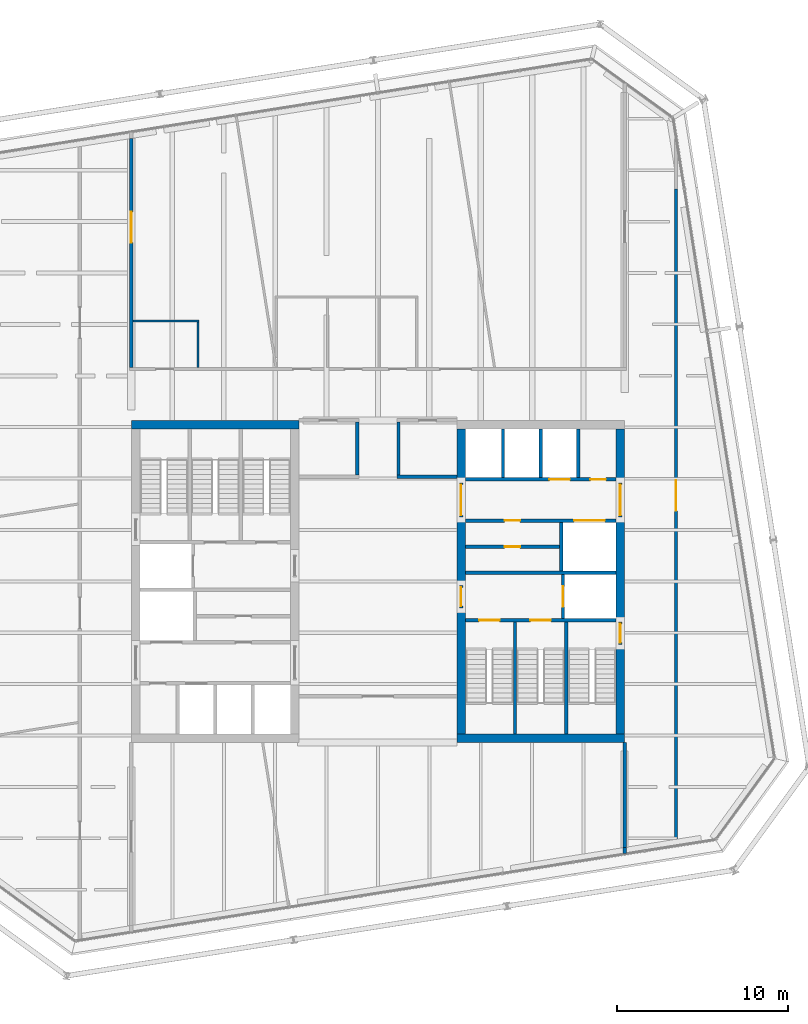
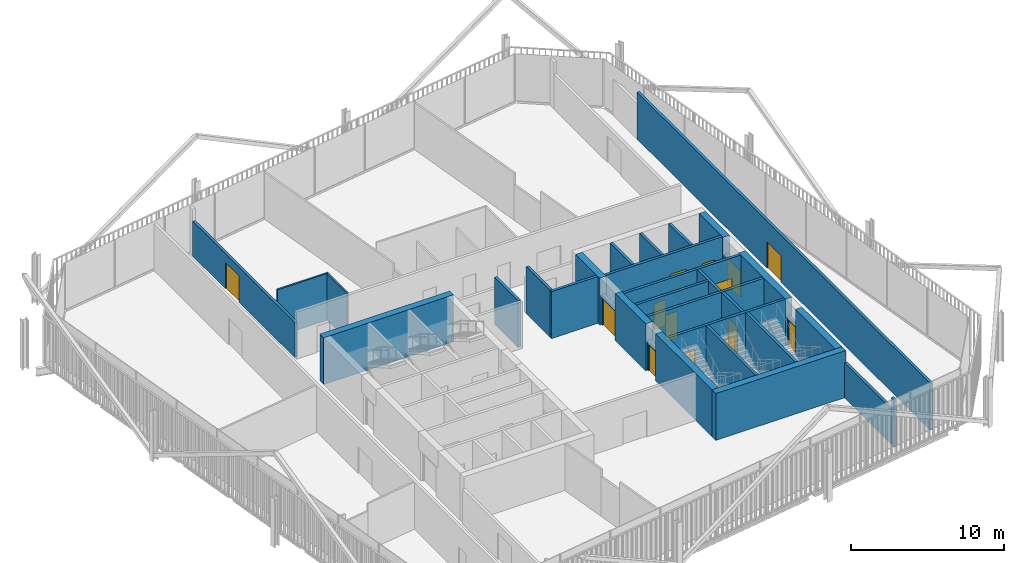
# One storey, part 17 of 20: 33 walls, 14 doors, 14 openings.
"""IFC4 building model written with IfcOpenShell, lengths in metres."""

from ifc_helpers import new_model, si_unit, direction, frame, frame_2d, origin, place, context, subcontext, project, spatial, rectangle, extrude, material, layer, layer_set, type_object, element, fill, save


model = new_model("IFC4")

# Units and contexts
model_context = context("Model", 3, precision=1e-05, world=origin(), true_north=direction((0.0, 1.0)))
body_context = subcontext(model_context, "Body", "Model", "MODEL_VIEW")
ifc_project = project(units=[si_unit("LENGTHUNIT", "METRE"), si_unit("AREAUNIT", "SQUARE_METRE"), si_unit("VOLUMEUNIT", "CUBIC_METRE"), si_unit("PLANEANGLEUNIT", "RADIAN"), si_unit("MASSUNIT", "GRAM", prefix="KILO")], contexts=[model_context])

# Site, building, storey
site_placement = place(None, origin())
site = spatial("IfcSite", under=ifc_project, at=site_placement, CompositionType="ELEMENT")
building_placement = place(site_placement, origin())
building = spatial("IfcBuilding", under=site, at=building_placement, Name="Millrace Tower", CompositionType="ELEMENT")
storey_placement = place(building_placement, frame((0.0, 0.0, 204.699951171875)))
storey = spatial("IfcBuildingStorey", under=building, at=storey_placement, Name="L46", CompositionType="ELEMENT", Elevation=204.699951171875)

# Walls
ifc_material_1 = material(Name="Concrete C60", Category="concrete")
ifc_layer_1 = layer(ifc_material_1, 0.5)
ifc_layer_set_1 = layer_set([ifc_layer_1], Name="Concrete C60")
wall_type_1 = type_object("IfcWallType", Name="Core wall 500 Concrete C60", PredefinedType="SHEAR", material=ifc_layer_set_1)
for number, where, z_axis, x_axis, name in (
    (1, (-14.39990234375, 9.14990234375, 0.0), (0.0, 0.0, 1.0), (1.0, 0.0, 0.0), "Core wall W L46"),
    (2, (14.39990234375, -9.14990234375, 0.0), (0.0, 0.0, 1.0), (-1.0, 0.0, 0.0), "Core wall E L46"),
):
    element("IfcWall", number, at=place(storey_placement, frame(where, z_axis=z_axis, x_axis=x_axis)), inside=storey, type_object=wall_type_1, Name=name, PredefinedType="SHEAR", context=body_context, shape_type="SweptSolid", body=[
        extrude(rectangle(XDim=9.7998046875, YDim=0.5, at=frame_2d((4.89990234375, 0.0))), origin(), (0.0, 0.0, 1.0), 3.739990234375),
    ])
wall_1_placement = place(storey_placement, frame((14.14990234375, 8.89990234375, 0.0), z_axis=(0.0, 0.0, 1.0), x_axis=(0.0, -1.0, 0.0)))
element("IfcWall", 3, at=wall_1_placement, inside=storey, type_object=wall_type_1, Name="Core wall E L46", PredefinedType="SHEAR", context=body_context, shape_type="SweptSolid", body=[
    extrude(rectangle(XDim=3.14990234375, YDim=0.5, at=frame_2d((1.574951171875, 0.0))), origin(), (0.0, 0.0, 1.0), 3.739990234375),
])
wall_2_placement = place(storey_placement, frame((14.14990234375, 3.75, 0.0), z_axis=(0.0, 0.0, 1.0), x_axis=(0.0, -1.0, 0.0)))
element("IfcWall", 4, at=wall_2_placement, inside=storey, type_object=wall_type_1, Name="Core wall E L46", PredefinedType="SHEAR", context=body_context, shape_type="SweptSolid", body=[
    extrude(rectangle(XDim=6.1298828125, YDim=0.5, at=frame_2d((3.06494140625, 0.0))), origin(), (0.0, 0.0, 1.0), 3.739990234375),
])
wall_3_placement = place(storey_placement, frame((14.14990234375, -3.679931640625, 0.0), z_axis=(0.0, 0.0, 1.0), x_axis=(0.0, -1.0, 0.0)))
element("IfcWall", 5, at=wall_3_placement, inside=storey, type_object=wall_type_1, Name="Core wall E L46", PredefinedType="SHEAR", context=body_context, shape_type="SweptSolid", body=[
    extrude(rectangle(XDim=5.219970703125, YDim=0.5, at=frame_2d((2.60986328125, 0.0))), origin(), (0.0, 0.0, 1.0), 3.739990234375),
])
wall_4_placement = place(storey_placement, frame((4.85009765625, 8.89990234375, 0.0), z_axis=(0.0, 0.0, 1.0), x_axis=(0.0, -1.0, 0.0)))
element("IfcWall", 6, at=wall_4_placement, inside=storey, type_object=wall_type_1, Name="Core wall E L46", PredefinedType="SHEAR", context=body_context, shape_type="SweptSolid", body=[
    extrude(rectangle(XDim=3.14990234375, YDim=0.5, at=frame_2d((1.574951171875, 0.0))), origin(), (0.0, 0.0, 1.0), 3.739990234375),
])
wall_5_placement = place(storey_placement, frame((4.85009765625, 3.75, 0.0), z_axis=(0.0, 0.0, 1.0), x_axis=(0.0, -1.0, 0.0)))
element("IfcWall", 7, at=wall_5_placement, inside=storey, type_object=wall_type_1, Name="Core wall E L46", PredefinedType="SHEAR", context=body_context, shape_type="SweptSolid", body=[
    extrude(rectangle(XDim=4.0, YDim=0.5, at=frame_2d((2.0, 0.0))), origin(), (0.0, 0.0, 1.0), 3.739990234375),
])
wall_6_placement = place(storey_placement, frame((4.85009765625, -1.550048828125, 0.0), z_axis=(0.0, 0.0, 1.0), x_axis=(0.0, -1.0, 0.0)))
element("IfcWall", 8, at=wall_6_placement, inside=storey, type_object=wall_type_1, Name="Core wall E L46", PredefinedType="SHEAR", context=body_context, shape_type="SweptSolid", body=[
    extrude(rectangle(XDim=7.349853515625, YDim=0.5, at=frame_2d((3.6748046875, 0.0))), origin(), (0.0, 0.0, 1.0), 3.739990234375),
])
ifc_material_2 = material(Name="Masonry partition, fire-rated", Category="masonry")
ifc_layer_2 = layer(ifc_material_2, 0.199951171875)
ifc_layer_set_2 = layer_set([ifc_layer_2], Name="Masonry partition, fire-rated")
wall_type_2 = type_object("IfcWallType", Name="Corridor wall 200", PredefinedType="PARTITIONING", material=ifc_layer_set_2)
wall_7_placement = place(storey_placement, frame((1.10009765625, 6.10009765625, 0.0), z_axis=(0.0, 0.0, 1.0), x_axis=(1.0, 0.0, 0.0)))
element("IfcWall", 9, at=wall_7_placement, inside=storey, type_object=wall_type_2, Name="Corridor wall L46", PredefinedType="PARTITIONING", context=body_context, shape_type="SweptSolid", body=[
    extrude(rectangle(XDim=3.5, YDim=0.199951171875, at=frame_2d((1.75, 0.0))), origin(), (0.0, 0.0, 1.0), 3.739990234375),
])

# Wall, opening, door
wall_8_placement = place(storey_placement, frame((17.39990234375, -15.3994140625, 0.0), z_axis=(0.0, 0.0, 1.0), x_axis=(0.0, 1.0, 0.0)))
wall_8 = element("IfcWall", 10, at=wall_8_placement, inside=storey, type_object=wall_type_2, Name="Corridor wall L46", PredefinedType="PARTITIONING", context=body_context, shape_type="SweptSolid", body=[
    extrude(rectangle(XDim=38.3046875, YDim=0.199951171875, at=frame_2d((19.15234375, 0.0))), origin(), (0.0, 0.0, 1.0), 3.739990234375),
])
opening_1_placement = place(wall_8_placement, frame((19.511962890625, 0.0, 0.0)))
opening_1 = element("IfcOpeningElement", 11, at=opening_1_placement, cuts=wall_8, Name="Opening 46-P013", PredefinedType="OPENING", context=body_context, shape_type="SweptSolid", body=[
    extrude(rectangle(XDim=1.800048828125, YDim=2.10009765625, at=frame_2d((0.89990234375, 1.050048828125))), frame((0.0, 0.10986328125, 0.0), z_axis=(0.0, -1.0, 0.0), x_axis=(1.0, 0.0, 0.0)), (0.0, 0.0, 1.0), 0.219970703125),
])
ifc_material_3 = material(Name="Steel door set, fire-rated", Category="steel")
door_type_1 = type_object("IfcDoorType", Name="Corridor door 1800 x 2100", OperationType="DOUBLE_DOOR_SINGLE_SWING", PredefinedType="DOOR", material=ifc_material_3)
door_1_placement = place(opening_1_placement, frame((1.800048828125, 0.0, 0.0), z_axis=(0.0, 0.0, 1.0), x_axis=(-1.0, 0.0, 0.0)))
door_1 = element("IfcDoor", 12, at=door_1_placement, inside=storey, type_object=door_type_1, Name="Door 46-P013", OperationType="DOUBLE_DOOR_SINGLE_SWING", OverallHeight=2.10009765625, OverallWidth=1.800048828125, PredefinedType="DOOR", context=body_context, shape_type="SweptSolid", body=[
    extrude(rectangle(XDim=1.800048828125, YDim=2.10009765625, at=frame_2d((0.89990234375, 1.050048828125))), frame((0.0, 0.02490234375, 0.0), z_axis=(0.0, -1.0, 0.0), x_axis=(1.0, 0.0, 0.0)), (0.0, 0.0, 1.0), 0.050048828125),
])
fill(opening_1, door_1)

# Walls
wall_9_placement = place(storey_placement, frame((14.39990234375, -15.87451171875, 0.0), z_axis=(0.0, 0.0, 1.0), x_axis=(0.0, 1.0, 0.0)))
element("IfcWall", 13, at=wall_9_placement, inside=storey, type_object=wall_type_2, Name="Corridor wall L46", PredefinedType="PARTITIONING", context=body_context, shape_type="SweptSolid", body=[
    extrude(rectangle(XDim=0.349609375, YDim=0.199951171875, at=frame_2d((0.1748046875, 0.0))), origin(), (0.0, 0.0, 1.0), 3.739990234375),
])
wall_10_placement = place(storey_placement, frame((14.39990234375, -15.52490234375, 0.0), z_axis=(0.0, 0.0, 1.0), x_axis=(0.0, 1.0, 0.0)))
element("IfcWall", 14, at=wall_10_placement, inside=storey, type_object=wall_type_2, Name="Corridor wall L46", PredefinedType="PARTITIONING", context=body_context, shape_type="SweptSolid", body=[
    extrude(rectangle(XDim=6.125, YDim=0.199951171875, at=frame_2d((3.0625, 0.0))), origin(), (0.0, 0.0, 1.0), 2.81298828125),
])
for number, where, z_axis, x_axis, name in (
    (15, (1.199951171875, 6.199951171875, 0.0), (0.0, 0.0, 1.0), (0.0, 1.0, 0.0), "Corridor wall L46"),
    (16, (-1.199951171875, 6.199951171875, 0.0), (0.0, 0.0, 1.0), (0.0, 1.0, 0.0), "Corridor wall L46"),
):
    element("IfcWall", number, at=place(storey_placement, frame(where, z_axis=z_axis, x_axis=x_axis)), inside=storey, type_object=wall_type_2, Name=name, PredefinedType="PARTITIONING", context=body_context, shape_type="SweptSolid", body=[
        extrude(rectangle(XDim=3.10009765625, YDim=0.199951171875, at=frame_2d((1.550048828125, 0.0))), origin(), (0.0, 0.0, 1.0), 3.739990234375),
    ])

# Wall, opening, door
wall_11_placement = place(storey_placement, frame((-14.39990234375, 12.5, 0.0), z_axis=(0.0, 0.0, 1.0), x_axis=(0.0, 1.0, 0.0)))
wall_11 = element("IfcWall", 17, at=wall_11_placement, inside=storey, type_object=wall_type_2, Name="Corridor wall L46", PredefinedType="PARTITIONING", context=body_context, shape_type="SweptSolid", body=[
    extrude(rectangle(XDim=13.3486328125, YDim=0.199951171875, at=frame_2d((6.67431640625, 0.0))), origin(), (0.0, 0.0, 1.0), 2.792724609375),
])
opening_2_placement = place(wall_11_placement, frame((7.27392578125, 0.0, 0.0)))
opening_2 = element("IfcOpeningElement", 18, at=opening_2_placement, cuts=wall_11, Name="Opening 46-P006", PredefinedType="OPENING", context=body_context, shape_type="SweptSolid", body=[
    extrude(rectangle(XDim=1.800048828125, YDim=2.10009765625, at=frame_2d((0.89990234375, 1.050048828125))), frame((0.0, 0.10986328125, 0.0), z_axis=(0.0, -1.0, 0.0), x_axis=(1.0, 0.0, 0.0)), (0.0, 0.0, 1.0), 0.219970703125),
])
door_2_placement = place(opening_2_placement, frame((1.800048828125, 0.0, 0.0), z_axis=(0.0, 0.0, 1.0), x_axis=(-1.0, 0.0, 0.0)))
door_2 = element("IfcDoor", 19, at=door_2_placement, inside=storey, type_object=door_type_1, Name="Door 46-P006", OperationType="DOUBLE_DOOR_SINGLE_SWING", OverallHeight=2.10009765625, OverallWidth=1.800048828125, PredefinedType="DOOR", context=body_context, shape_type="SweptSolid", body=[
    extrude(rectangle(XDim=1.800048828125, YDim=2.10009765625, at=frame_2d((0.89990234375, 1.050048828125))), frame((0.0, 0.02490234375, 0.0), z_axis=(0.0, -1.0, 0.0), x_axis=(1.0, 0.0, 0.0)), (0.0, 0.0, 1.0), 0.050048828125),
])
fill(opening_2, door_2)

# Wall, openings, doors
ifc_material_4 = material(Name="Masonry partition, fire-rated", Category="masonry")
ifc_layer_3 = layer(ifc_material_4, 0.199951171875)
ifc_layer_set_3 = layer_set([ifc_layer_3], Name="Masonry partition, fire-rated")
wall_type_3 = type_object("IfcWallType", Name="Lift shaft wall 200", PredefinedType="PARTITIONING", material=ifc_layer_set_3)
wall_12_placement = place(storey_placement, frame((13.89990234375, 5.949951171875, 0.0), z_axis=(0.0, 0.0, 1.0), x_axis=(-1.0, 0.0, 0.0)))
wall_12 = element("IfcWall", 20, at=wall_12_placement, inside=storey, type_object=wall_type_3, Name="Lift shaft wall E L46", PredefinedType="PARTITIONING", context=body_context, shape_type="SweptSolid", body=[
    extrude(rectangle(XDim=8.7998046875, YDim=0.199951171875, at=frame_2d((4.39990234375, 0.0))), origin(), (0.0, 0.0, 1.0), 3.739990234375),
])
opening_3_placement = place(wall_12_placement, frame((2.699951171875, 0.0, 0.0)))
opening_3 = element("IfcOpeningElement", 21, at=opening_3_placement, cuts=wall_12, Name="Opening 46-LD10", PredefinedType="OPENING", context=body_context, shape_type="SweptSolid", body=[
    extrude(rectangle(XDim=1.199951171875, YDim=2.10009765625, at=frame_2d((0.60009765625, 1.050048828125))), frame((0.0, 0.10986328125, 0.0), z_axis=(0.0, -1.0, 0.0), x_axis=(1.0, 0.0, 0.0)), (0.0, 0.0, 1.0), 0.219970703125),
])
opening_4_placement = place(wall_12_placement, frame((0.60009765625, 0.0, 0.0)))
opening_4 = element("IfcOpeningElement", 22, at=opening_4_placement, cuts=wall_12, Name="Opening 46-C014", PredefinedType="OPENING", context=body_context, shape_type="SweptSolid", body=[
    extrude(rectangle(XDim=0.89990234375, YDim=2.10009765625, at=frame_2d((0.449951171875, 1.050048828125))), frame((0.0, 0.10986328125, 0.0), z_axis=(0.0, -1.0, 0.0), x_axis=(1.0, 0.0, 0.0)), (0.0, 0.0, 1.0), 0.219970703125),
])
ifc_material_5 = material(Name="Stainless steel, fire-rated", Category="steel")
door_type_2 = type_object("IfcDoorType", Name="Lift landing door 1200 x 2100", OperationType="DOUBLE_DOOR_SLIDING", PredefinedType="DOOR", material=ifc_material_5)
door_3_placement = place(opening_3_placement, origin())
door_3 = element("IfcDoor", 23, at=door_3_placement, inside=storey, type_object=door_type_2, Name="Lift landing door LF10 L46", OperationType="DOUBLE_DOOR_SLIDING", OverallHeight=2.10009765625, OverallWidth=1.199951171875, PredefinedType="DOOR", context=body_context, shape_type="SweptSolid", body=[
    extrude(rectangle(XDim=1.199951171875, YDim=2.10009765625, at=frame_2d((0.60009765625, 1.050048828125))), frame((0.0, 0.02490234375, 0.0), z_axis=(0.0, -1.0, 0.0), x_axis=(1.0, 0.0, 0.0)), (0.0, 0.0, 1.0), 0.050048828125),
])
fill(opening_3, door_3)
ifc_material_6 = material(Name="Steel door, fire-rated", Category="steel")
door_type_3 = type_object("IfcDoorType", Name="Service room door 900 x 2100", OperationType="SINGLE_SWING_LEFT", PredefinedType="DOOR", material=ifc_material_6)
door_4_placement = place(opening_4_placement, frame((0.89990234375, 0.0, 0.0), z_axis=(0.0, 0.0, 1.0), x_axis=(-1.0, 0.0, 0.0)))
door_4 = element("IfcDoor", 24, at=door_4_placement, inside=storey, type_object=door_type_3, Name="Service room door 46-C014", OperationType="SINGLE_SWING_RIGHT", OverallHeight=2.10009765625, OverallWidth=0.89990234375, PredefinedType="DOOR", context=body_context, shape_type="SweptSolid", body=[
    extrude(rectangle(XDim=0.89990234375, YDim=2.10009765625, at=frame_2d((0.449951171875, 1.050048828125))), frame((0.0, 0.02490234375, 0.0), z_axis=(0.0, -1.0, 0.0), x_axis=(1.0, 0.0, 0.0)), (0.0, 0.0, 1.0), 0.050048828125),
])
fill(opening_4, door_4)

wall_13_placement = place(storey_placement, frame((13.89990234375, 3.550048828125, 0.0), z_axis=(0.0, 0.0, 1.0), x_axis=(-1.0, 0.0, 0.0)))
wall_13 = element("IfcWall", 25, at=wall_13_placement, inside=storey, type_object=wall_type_3, Name="Lift shaft wall E L46", PredefinedType="PARTITIONING", context=body_context, shape_type="SweptSolid", body=[
    extrude(rectangle(XDim=8.7998046875, YDim=0.199951171875, at=frame_2d((4.39990234375, 0.0))), origin(), (0.0, 0.0, 1.0), 3.739990234375),
])
opening_5_placement = place(wall_13_placement, frame((0.64990234375, 0.0, 0.0)))
opening_5 = element("IfcOpeningElement", 26, at=opening_5_placement, cuts=wall_13, Name="Opening 46-LD13", PredefinedType="OPENING", context=body_context, shape_type="SweptSolid", body=[
    extrude(rectangle(XDim=1.800048828125, YDim=2.10009765625, at=frame_2d((0.89990234375, 1.050048828125))), frame((0.0, 0.10986328125, 0.0), z_axis=(0.0, -1.0, 0.0), x_axis=(1.0, 0.0, 0.0)), (0.0, 0.0, 1.0), 0.219970703125),
])
opening_6_placement = place(wall_13_placement, frame((5.60009765625, 0.0, 0.0)))
opening_6 = element("IfcOpeningElement", 27, at=opening_6_placement, cuts=wall_13, Name="Opening 46-C015", PredefinedType="OPENING", context=body_context, shape_type="SweptSolid", body=[
    extrude(rectangle(XDim=0.89990234375, YDim=2.10009765625, at=frame_2d((0.449951171875, 1.050048828125))), frame((0.0, 0.10986328125, 0.0), z_axis=(0.0, -1.0, 0.0), x_axis=(1.0, 0.0, 0.0)), (0.0, 0.0, 1.0), 0.219970703125),
])
ifc_material_7 = material(Name="Stainless steel, fire-rated", Category="steel")
door_type_4 = type_object("IfcDoorType", Name="Lift landing door 1800 x 2100", OperationType="DOUBLE_DOOR_SLIDING", PredefinedType="DOOR", material=ifc_material_7)
door_5_placement = place(opening_5_placement, origin())
door_5 = element("IfcDoor", 28, at=door_5_placement, inside=storey, type_object=door_type_4, Name="Lift landing door LF13 L46", OperationType="DOUBLE_DOOR_SLIDING", OverallHeight=2.10009765625, OverallWidth=1.800048828125, PredefinedType="DOOR", context=body_context, shape_type="SweptSolid", body=[
    extrude(rectangle(XDim=1.800048828125, YDim=2.10009765625, at=frame_2d((0.89990234375, 1.050048828125))), frame((0.0, 0.02490234375, 0.0), z_axis=(0.0, -1.0, 0.0), x_axis=(1.0, 0.0, 0.0)), (0.0, 0.0, 1.0), 0.050048828125),
])
fill(opening_5, door_5)
door_6_placement = place(opening_6_placement, frame((0.89990234375, 0.0, 0.0), z_axis=(0.0, 0.0, 1.0), x_axis=(-1.0, 0.0, 0.0)))
door_6 = element("IfcDoor", 29, at=door_6_placement, inside=storey, type_object=door_type_3, Name="Service room door 46-C015", OperationType="SINGLE_SWING_LEFT", OverallHeight=2.10009765625, OverallWidth=0.89990234375, PredefinedType="DOOR", context=body_context, shape_type="SweptSolid", body=[
    extrude(rectangle(XDim=0.89990234375, YDim=2.10009765625, at=frame_2d((0.449951171875, 1.050048828125))), frame((0.0, 0.02490234375, 0.0), z_axis=(0.0, -1.0, 0.0), x_axis=(1.0, 0.0, 0.0)), (0.0, 0.0, 1.0), 0.050048828125),
])
fill(opening_6, door_6)

# Wall
wall_14_placement = place(storey_placement, frame((13.89990234375, 0.5, 0.0), z_axis=(0.0, 0.0, 1.0), x_axis=(-1.0, 0.0, 0.0)))
element("IfcWall", 30, at=wall_14_placement, inside=storey, type_object=wall_type_3, Name="Lift shaft wall E L46", PredefinedType="PARTITIONING", context=body_context, shape_type="SweptSolid", body=[
    extrude(rectangle(XDim=8.7998046875, YDim=0.199951171875, at=frame_2d((4.39990234375, 0.0))), origin(), (0.0, 0.0, 1.0), 3.739990234375),
])

# Wall, opening, door
wall_15_placement = place(storey_placement, frame((10.800048828125, 0.39990234375, 0.0), z_axis=(0.0, 0.0, 1.0), x_axis=(0.0, -1.0, 0.0)))
wall_15 = element("IfcWall", 31, at=wall_15_placement, inside=storey, type_object=wall_type_3, Name="Lift shaft wall E L46", PredefinedType="PARTITIONING", context=body_context, shape_type="SweptSolid", body=[
    extrude(rectangle(XDim=2.579833984375, YDim=0.199951171875, at=frame_2d((1.2900390625, 0.0))), origin(), (0.0, 0.0, 1.0), 3.739990234375),
])
opening_7_placement = place(wall_15_placement, frame((0.68994140625, 0.0, 0.0)))
opening_7 = element("IfcOpeningElement", 32, at=opening_7_placement, cuts=wall_15, Name="Opening 46-LD16", PredefinedType="OPENING", context=body_context, shape_type="SweptSolid", body=[
    extrude(rectangle(XDim=1.199951171875, YDim=2.10009765625, at=frame_2d((0.60009765625, 1.050048828125))), frame((0.0, 0.10986328125, 0.0), z_axis=(0.0, -1.0, 0.0), x_axis=(1.0, 0.0, 0.0)), (0.0, 0.0, 1.0), 0.219970703125),
])
door_7_placement = place(opening_7_placement, origin())
door_7 = element("IfcDoor", 33, at=door_7_placement, inside=storey, type_object=door_type_2, Name="Lift landing door LF16 L46", OperationType="DOUBLE_DOOR_SLIDING", OverallHeight=2.10009765625, OverallWidth=1.199951171875, PredefinedType="DOOR", context=body_context, shape_type="SweptSolid", body=[
    extrude(rectangle(XDim=1.199951171875, YDim=2.10009765625, at=frame_2d((0.60009765625, 1.050048828125))), frame((0.0, 0.02490234375, 0.0), z_axis=(0.0, -1.0, 0.0), x_axis=(1.0, 0.0, 0.0)), (0.0, 0.0, 1.0), 0.050048828125),
])
fill(opening_7, door_7)

# Walls
for number, where, z_axis, x_axis, name in (
    (34, (11.699951171875, 8.89990234375, 0.0), (0.0, 0.0, 1.0), (0.0, -1.0, 0.0), "Lift shaft wall E L46"),
    (35, (9.5, 8.89990234375, 0.0), (0.0, 0.0, 1.0), (0.0, -1.0, 0.0), "Lift shaft wall E L46"),
    (36, (7.300048828125, 8.89990234375, 0.0), (0.0, 0.0, 1.0), (0.0, -1.0, 0.0), "Lift shaft wall E L46"),
    (37, (10.699951171875, 3.449951171875, 0.0), (0.0, 0.0, 1.0), (0.0, -1.0, 0.0), "Lift shaft wall E L46"),
):
    element("IfcWall", number, at=place(storey_placement, frame(where, z_axis=z_axis, x_axis=x_axis)), inside=storey, type_object=wall_type_3, Name=name, PredefinedType="PARTITIONING", context=body_context, shape_type="SweptSolid", body=[
        extrude(rectangle(XDim=2.849853515625, YDim=0.199951171875, at=frame_2d((1.4248046875, 0.0))), origin(), (0.0, 0.0, 1.0), 3.739990234375),
    ])

# Wall, opening, door
ifc_material_8 = material(Name="Masonry partition, fire-rated", Category="masonry")
ifc_layer_4 = layer(ifc_material_8, 0.199951171875)
ifc_layer_set_4 = layer_set([ifc_layer_4], Name="Masonry partition, fire-rated")
wall_type_4 = type_object("IfcWallType", Name="Lobby wall 200", PredefinedType="PARTITIONING", material=ifc_layer_set_4)
wall_16_placement = place(storey_placement, frame((14.14990234375, 5.75, 0.0), z_axis=(0.0, 0.0, 1.0), x_axis=(0.0, -1.0, 0.0)))
wall_16 = element("IfcWall", 38, at=wall_16_placement, inside=storey, type_object=wall_type_4, Name="Lobby wall E L46", PredefinedType="PARTITIONING", context=body_context, shape_type="SweptSolid", body=[
    extrude(rectangle(XDim=2.0, YDim=0.199951171875, at=frame_2d((1.0, 0.0))), origin(), (0.0, 0.0, 1.0), 2.400146484375),
])
opening_8_placement = place(wall_16_placement, frame((0.10009765625, 0.0, 0.0)))
opening_8 = element("IfcOpeningElement", 39, at=opening_8_placement, cuts=wall_16, Name="Opening 46-C010", PredefinedType="OPENING", context=body_context, shape_type="SweptSolid", body=[
    extrude(rectangle(XDim=1.800048828125, YDim=2.10009765625, at=frame_2d((0.89990234375, 1.050048828125))), frame((0.0, 0.10986328125, 0.0), z_axis=(0.0, -1.0, 0.0), x_axis=(1.0, 0.0, 0.0)), (0.0, 0.0, 1.0), 0.219970703125),
])
ifc_material_9 = material(Name="Steel door, fire-rated", Category="steel")
door_type_5 = type_object("IfcDoorType", Name="Lobby door 1800 x 2100", OperationType="DOUBLE_DOOR_SINGLE_SWING", PredefinedType="DOOR", material=ifc_material_9)
door_8_placement = place(opening_8_placement, origin())
door_8 = element("IfcDoor", 40, at=door_8_placement, inside=storey, type_object=door_type_5, Name="Lobby door 46-C010", OperationType="DOUBLE_DOOR_SINGLE_SWING", OverallHeight=2.10009765625, OverallWidth=1.800048828125, PredefinedType="DOOR", context=body_context, shape_type="SweptSolid", body=[
    extrude(rectangle(XDim=1.800048828125, YDim=2.10009765625, at=frame_2d((0.89990234375, 1.050048828125))), frame((0.0, 0.02490234375, 0.0), z_axis=(0.0, -1.0, 0.0), x_axis=(1.0, 0.0, 0.0)), (0.0, 0.0, 1.0), 0.050048828125),
])
fill(opening_8, door_8)

wall_17_placement = place(storey_placement, frame((4.85009765625, 5.75, 0.0), z_axis=(0.0, 0.0, 1.0), x_axis=(0.0, -1.0, 0.0)))
wall_17 = element("IfcWall", 41, at=wall_17_placement, inside=storey, type_object=wall_type_4, Name="Lobby wall E L46", PredefinedType="PARTITIONING", context=body_context, shape_type="SweptSolid", body=[
    extrude(rectangle(XDim=2.0, YDim=0.199951171875, at=frame_2d((1.0, 0.0))), origin(), (0.0, 0.0, 1.0), 2.400146484375),
])
opening_9_placement = place(wall_17_placement, frame((0.10009765625, 0.0, 0.0)))
opening_9 = element("IfcOpeningElement", 42, at=opening_9_placement, cuts=wall_17, Name="Opening 46-C012", PredefinedType="OPENING", context=body_context, shape_type="SweptSolid", body=[
    extrude(rectangle(XDim=1.800048828125, YDim=2.10009765625, at=frame_2d((0.89990234375, 1.050048828125))), frame((0.0, 0.10986328125, 0.0), z_axis=(0.0, -1.0, 0.0), x_axis=(1.0, 0.0, 0.0)), (0.0, 0.0, 1.0), 0.219970703125),
])
door_9_placement = place(opening_9_placement, frame((1.800048828125, 0.0, 0.0), z_axis=(0.0, 0.0, 1.0), x_axis=(-1.0, 0.0, 0.0)))
door_9 = element("IfcDoor", 43, at=door_9_placement, inside=storey, type_object=door_type_5, Name="Lobby door 46-C012", OperationType="DOUBLE_DOOR_SINGLE_SWING", OverallHeight=2.10009765625, OverallWidth=1.800048828125, PredefinedType="DOOR", context=body_context, shape_type="SweptSolid", body=[
    extrude(rectangle(XDim=1.800048828125, YDim=2.10009765625, at=frame_2d((0.89990234375, 1.050048828125))), frame((0.0, 0.02490234375, 0.0), z_axis=(0.0, -1.0, 0.0), x_axis=(1.0, 0.0, 0.0)), (0.0, 0.0, 1.0), 0.050048828125),
])
fill(opening_9, door_9)

wall_18_placement = place(storey_placement, frame((4.85009765625, -0.25, 0.0), z_axis=(0.0, 0.0, 1.0), x_axis=(0.0, -1.0, 0.0)))
wall_18 = element("IfcWall", 44, at=wall_18_placement, inside=storey, type_object=wall_type_4, Name="Lobby wall E L46", PredefinedType="PARTITIONING", context=body_context, shape_type="SweptSolid", body=[
    extrude(rectangle(XDim=1.300048828125, YDim=0.199951171875, at=frame_2d((0.64990234375, 0.0))), origin(), (0.0, 0.0, 1.0), 2.400146484375),
])
opening_10_placement = place(wall_18_placement, frame((0.10009765625, 0.0, 0.0)))
opening_10 = element("IfcOpeningElement", 45, at=opening_10_placement, cuts=wall_18, Name="Opening 46-C013", PredefinedType="OPENING", context=body_context, shape_type="SweptSolid", body=[
    extrude(rectangle(XDim=1.10009765625, YDim=2.10009765625, at=frame_2d((0.550048828125, 1.050048828125))), frame((0.0, 0.10986328125, 0.0), z_axis=(0.0, -1.0, 0.0), x_axis=(1.0, 0.0, 0.0)), (0.0, 0.0, 1.0), 0.219970703125),
])
ifc_material_10 = material(Name="Steel door, fire-rated", Category="steel")
door_type_6 = type_object("IfcDoorType", Name="Lobby door 1100 x 2100", OperationType="SINGLE_SWING_LEFT", PredefinedType="DOOR", material=ifc_material_10)
door_10_placement = place(opening_10_placement, frame((1.10009765625, 0.0, 0.0), z_axis=(0.0, 0.0, 1.0), x_axis=(-1.0, 0.0, 0.0)))
door_10 = element("IfcDoor", 46, at=door_10_placement, inside=storey, type_object=door_type_6, Name="Lobby door 46-C013", OperationType="SINGLE_SWING_RIGHT", OverallHeight=2.10009765625, OverallWidth=1.10009765625, PredefinedType="DOOR", context=body_context, shape_type="SweptSolid", body=[
    extrude(rectangle(XDim=1.10009765625, YDim=2.10009765625, at=frame_2d((0.550048828125, 1.050048828125))), frame((0.0, 0.02490234375, 0.0), z_axis=(0.0, -1.0, 0.0), x_axis=(1.0, 0.0, 0.0)), (0.0, 0.0, 1.0), 0.050048828125),
])
fill(opening_10, door_10)

# Walls
ifc_material_11 = material(Name="Gypsum board partition")
ifc_layer_5 = layer(ifc_material_11, 0.1201171875)
ifc_layer_set_5 = layer_set([ifc_layer_5], Name="Gypsum board partition")
wall_type_5 = type_object("IfcWallType", Name="Partition wall 120", PredefinedType="PARTITIONING", material=ifc_layer_set_5)
wall_19_placement = place(storey_placement, frame((-14.300048828125, 15.199951171875, 0.0), z_axis=(0.0, 0.0, 1.0), x_axis=(1.0, 0.0, 0.0)))
element("IfcWall", 47, at=wall_19_placement, inside=storey, type_object=wall_type_5, Name="Partition wall L46", PredefinedType="PARTITIONING", context=body_context, shape_type="SweptSolid", body=[
    extrude(rectangle(XDim=3.860107421875, YDim=0.1201171875, at=frame_2d((1.93017578125, 0.0))), origin(), (0.0, 0.0, 1.0), 3.739990234375),
])
wall_20_placement = place(storey_placement, frame((-10.5, 12.5, 0.0), z_axis=(0.0, 0.0, 1.0), x_axis=(0.0, 1.0, 0.0)))
element("IfcWall", 48, at=wall_20_placement, inside=storey, type_object=wall_type_5, Name="Partition wall L46", PredefinedType="PARTITIONING", context=body_context, shape_type="SweptSolid", body=[
    extrude(rectangle(XDim=2.639892578125, YDim=0.1201171875, at=frame_2d((1.31982421875, 0.0))), origin(), (0.0, 0.0, 1.0), 3.739990234375),
])

# Wall, opening, door
ifc_material_12 = material(Name="Masonry partition, fire-rated", Category="masonry")
ifc_layer_6 = layer(ifc_material_12, 0.199951171875)
ifc_layer_set_6 = layer_set([ifc_layer_6], Name="Masonry partition, fire-rated")
wall_type_6 = type_object("IfcWallType", Name="Room partition 200", PredefinedType="PARTITIONING", material=ifc_layer_set_6)
wall_21_placement = place(storey_placement, frame((10.60009765625, 2.02490234375, 0.0), z_axis=(0.0, 0.0, 1.0), x_axis=(-1.0, 0.0, 0.0)))
wall_21 = element("IfcWall", 49, at=wall_21_placement, inside=storey, type_object=wall_type_6, Name="Room partition E L46", PredefinedType="PARTITIONING", context=body_context, shape_type="SweptSolid", body=[
    extrude(rectangle(XDim=5.5, YDim=0.199951171875, at=frame_2d((2.75, 0.0))), origin(), (0.0, 0.0, 1.0), 3.739990234375),
])
opening_11_placement = place(wall_21_placement, frame((2.300048828125, 0.0, 0.0)))
opening_11 = element("IfcOpeningElement", 50, at=opening_11_placement, cuts=wall_21, Name="Opening 46-C016", PredefinedType="OPENING", context=body_context, shape_type="SweptSolid", body=[
    extrude(rectangle(XDim=0.89990234375, YDim=2.10009765625, at=frame_2d((0.449951171875, 1.050048828125))), frame((0.0, 0.10986328125, 0.0), z_axis=(0.0, -1.0, 0.0), x_axis=(1.0, 0.0, 0.0)), (0.0, 0.0, 1.0), 0.219970703125),
])
door_11_placement = place(opening_11_placement, origin())
door_11 = element("IfcDoor", 51, at=door_11_placement, inside=storey, type_object=door_type_3, Name="Service room door 46-C016", OperationType="SINGLE_SWING_LEFT", OverallHeight=2.10009765625, OverallWidth=0.89990234375, PredefinedType="DOOR", context=body_context, shape_type="SweptSolid", body=[
    extrude(rectangle(XDim=0.89990234375, YDim=2.10009765625, at=frame_2d((0.449951171875, 1.050048828125))), frame((0.0, 0.02490234375, 0.0), z_axis=(0.0, -1.0, 0.0), x_axis=(1.0, 0.0, 0.0)), (0.0, 0.0, 1.0), 0.050048828125),
])
fill(opening_11, door_11)

ifc_material_13 = material(Name="Concrete C40", Category="concrete")
ifc_layer_7 = layer(ifc_material_13, 0.199951171875)
ifc_layer_set_7 = layer_set([ifc_layer_7], Name="Concrete C40")
wall_type_7 = type_object("IfcWallType", Name="Stair enclosure wall 200 Concrete C40", PredefinedType="SHEAR", material=ifc_layer_set_7)
wall_22_placement = place(storey_placement, frame((14.14990234375, -2.3798828125, 0.0), z_axis=(0.0, 0.0, 1.0), x_axis=(0.0, -1.0, 0.0)))
wall_22 = element("IfcWall", 52, at=wall_22_placement, inside=storey, type_object=wall_type_7, Name="Stair enclosure wall E L46", PredefinedType="SHEAR", context=body_context, shape_type="SweptSolid", body=[
    extrude(rectangle(XDim=1.300048828125, YDim=0.199951171875, at=frame_2d((0.64990234375, 0.0))), origin(), (0.0, 0.0, 1.0), 2.400146484375),
])
opening_12_placement = place(wall_22_placement, frame((0.10009765625, 0.0, 0.0)))
opening_12 = element("IfcOpeningElement", 53, at=opening_12_placement, cuts=wall_22, Name="Opening 46-C011", PredefinedType="OPENING", context=body_context, shape_type="SweptSolid", body=[
    extrude(rectangle(XDim=1.10009765625, YDim=2.10009765625, at=frame_2d((0.550048828125, 1.050048828125))), frame((0.0, 0.10986328125, 0.0), z_axis=(0.0, -1.0, 0.0), x_axis=(1.0, 0.0, 0.0)), (0.0, 0.0, 1.0), 0.219970703125),
])
ifc_material_14 = material(Name="Steel door, fire-rated", Category="steel")
door_type_7 = type_object("IfcDoorType", Name="Stair door 1100 x 2100", OperationType="SINGLE_SWING_LEFT", PredefinedType="DOOR", material=ifc_material_14)
door_12_placement = place(opening_12_placement, origin())
door_12 = element("IfcDoor", 54, at=door_12_placement, inside=storey, type_object=door_type_7, Name="Stair door 46-C011", OperationType="SINGLE_SWING_LEFT", OverallHeight=2.10009765625, OverallWidth=1.10009765625, PredefinedType="DOOR", context=body_context, shape_type="SweptSolid", body=[
    extrude(rectangle(XDim=1.10009765625, YDim=2.10009765625, at=frame_2d((0.550048828125, 1.050048828125))), frame((0.0, 0.02490234375, 0.0), z_axis=(0.0, -1.0, 0.0), x_axis=(1.0, 0.0, 0.0)), (0.0, 0.0, 1.0), 0.050048828125),
])
fill(opening_12, door_12)

# Wall, openings, doors
wall_23_placement = place(storey_placement, frame((13.89990234375, -2.280029296875, 0.0), z_axis=(0.0, 0.0, 1.0), x_axis=(-1.0, 0.0, 0.0)))
wall_23 = element("IfcWall", 55, at=wall_23_placement, inside=storey, type_object=wall_type_7, Name="Stair enclosure wall E L46", PredefinedType="SHEAR", context=body_context, shape_type="SweptSolid", body=[
    extrude(rectangle(XDim=8.7998046875, YDim=0.199951171875, at=frame_2d((4.39990234375, 0.0))), origin(), (0.0, 0.0, 1.0), 3.739990234375),
])
opening_13_placement = place(wall_23_placement, frame((3.800048828125, 0.0, 0.0)))
opening_13 = element("IfcOpeningElement", 56, at=opening_13_placement, cuts=wall_23, Name="Opening 46-C017", PredefinedType="OPENING", context=body_context, shape_type="SweptSolid", body=[
    extrude(rectangle(XDim=1.199951171875, YDim=2.10009765625, at=frame_2d((0.60009765625, 1.050048828125))), frame((0.0, 0.10986328125, 0.0), z_axis=(0.0, -1.0, 0.0), x_axis=(1.0, 0.0, 0.0)), (0.0, 0.0, 1.0), 0.219970703125),
])
opening_14_placement = place(wall_23_placement, frame((6.800048828125, 0.0, 0.0)))
opening_14 = element("IfcOpeningElement", 57, at=opening_14_placement, cuts=wall_23, Name="Opening 46-C018", PredefinedType="OPENING", context=body_context, shape_type="SweptSolid", body=[
    extrude(rectangle(XDim=1.199951171875, YDim=2.10009765625, at=frame_2d((0.60009765625, 1.050048828125))), frame((0.0, 0.10986328125, 0.0), z_axis=(0.0, -1.0, 0.0), x_axis=(1.0, 0.0, 0.0)), (0.0, 0.0, 1.0), 0.219970703125),
])
ifc_material_15 = material(Name="Steel door, fire-rated", Category="steel")
door_type_8 = type_object("IfcDoorType", Name="Stair door 1200 x 2100", OperationType="SINGLE_SWING_LEFT", PredefinedType="DOOR", material=ifc_material_15)
door_13_placement = place(opening_13_placement, frame((1.199951171875, 0.0, 0.0), z_axis=(0.0, 0.0, 1.0), x_axis=(-1.0, 0.0, 0.0)))
door_13 = element("IfcDoor", 58, at=door_13_placement, inside=storey, type_object=door_type_8, Name="Stair door 46-C017", OperationType="SINGLE_SWING_RIGHT", OverallHeight=2.10009765625, OverallWidth=1.199951171875, PredefinedType="DOOR", context=body_context, shape_type="SweptSolid", body=[
    extrude(rectangle(XDim=1.199951171875, YDim=2.10009765625, at=frame_2d((0.60009765625, 1.050048828125))), frame((0.0, 0.02490234375, 0.0), z_axis=(0.0, -1.0, 0.0), x_axis=(1.0, 0.0, 0.0)), (0.0, 0.0, 1.0), 0.050048828125),
])
fill(opening_13, door_13)
door_14_placement = place(opening_14_placement, frame((1.199951171875, 0.0, 0.0), z_axis=(0.0, 0.0, 1.0), x_axis=(-1.0, 0.0, 0.0)))
door_14 = element("IfcDoor", 59, at=door_14_placement, inside=storey, type_object=door_type_8, Name="Stair door 46-C018", OperationType="SINGLE_SWING_LEFT", OverallHeight=2.10009765625, OverallWidth=1.199951171875, PredefinedType="DOOR", context=body_context, shape_type="SweptSolid", body=[
    extrude(rectangle(XDim=1.199951171875, YDim=2.10009765625, at=frame_2d((0.60009765625, 1.050048828125))), frame((0.0, 0.02490234375, 0.0), z_axis=(0.0, -1.0, 0.0), x_axis=(1.0, 0.0, 0.0)), (0.0, 0.0, 1.0), 0.050048828125),
])
fill(opening_14, door_14)

# Walls
for number, where, z_axis, x_axis, name in (
    (60, (11.0, -2.3798828125, 0.0), (0.0, 0.0, 1.0), (0.0, -1.0, 0.0), "Stair enclosure wall E L46"),
    (61, (8.0, -2.3798828125, 0.0), (0.0, 0.0, 1.0), (0.0, -1.0, 0.0), "Stair enclosure wall E L46"),
):
    element("IfcWall", number, at=place(storey_placement, frame(where, z_axis=z_axis, x_axis=x_axis)), inside=storey, type_object=wall_type_7, Name=name, PredefinedType="SHEAR", context=body_context, shape_type="SweptSolid", body=[
        extrude(rectangle(XDim=6.52001953125, YDim=0.199951171875, at=frame_2d((3.260009765625, 0.0))), origin(), (0.0, 0.0, 1.0), 3.739990234375),
    ])

save(model, "model.ifc")
